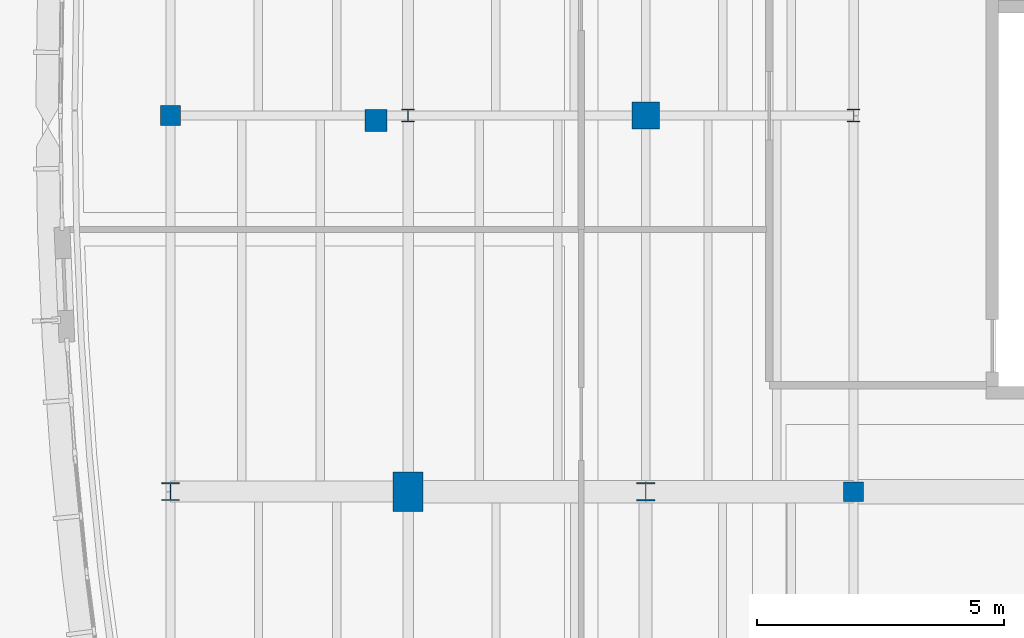
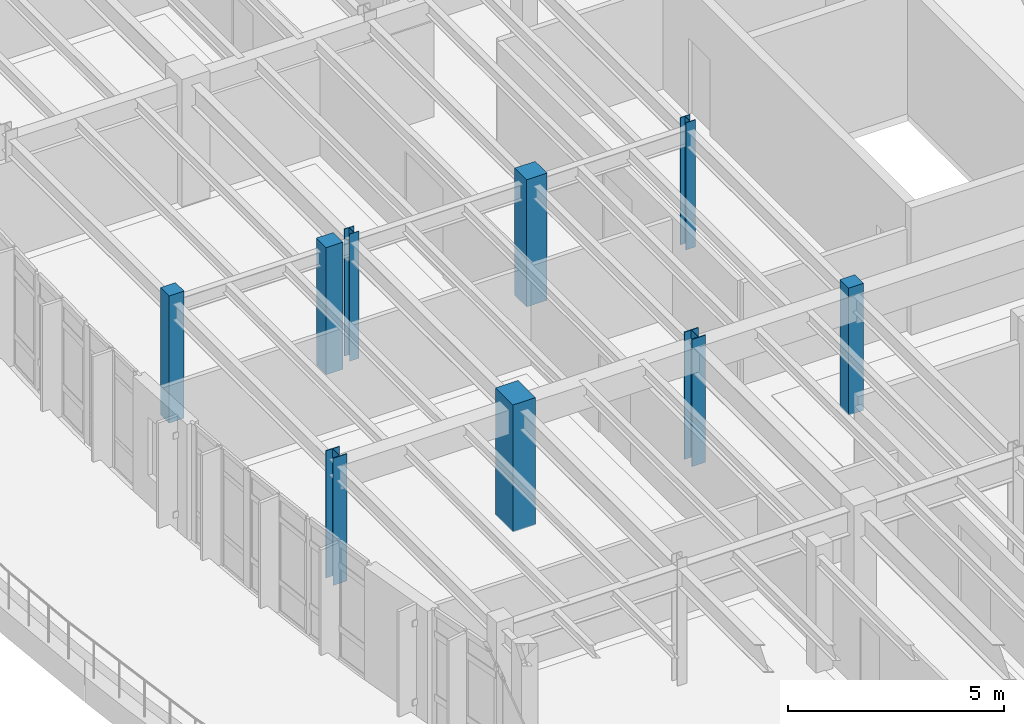
# One storey, part 3 of 30: 9 columns.
"""IFC4 building model written with IfcOpenShell, lengths in metres."""

from ifc_helpers import new_model, si_unit, direction, frame, origin, origin_2d, place, context, subcontext, project, spatial, rectangle, i_section, extrude, material, material_profile, profile_set, type_object, element, save


model = new_model("IFC4")

# Units and contexts
model_context = context("Model", 3, precision=1e-05, world=origin(), true_north=direction((0.0, 1.0)))
body_context = subcontext(model_context, "Body", "Model", "MODEL_VIEW")
ifc_project = project(units=[si_unit("LENGTHUNIT", "METRE"), si_unit("AREAUNIT", "SQUARE_METRE"), si_unit("VOLUMEUNIT", "CUBIC_METRE"), si_unit("PLANEANGLEUNIT", "RADIAN"), si_unit("MASSUNIT", "GRAM", prefix="KILO")], contexts=[model_context])

# Site, building, storey
site_placement = place(None, origin())
site = spatial("IfcSite", under=ifc_project, at=site_placement, CompositionType="ELEMENT")
building_placement = place(site_placement, origin())
building = spatial("IfcBuilding", under=site, at=building_placement, Name="Corveleigh Park Community Centre", CompositionType="ELEMENT")
storey_placement = place(building_placement, frame((0.0, 0.0, 12.60009765625)))
storey = spatial("IfcBuildingStorey", under=building, at=storey_placement, Name="L03", CompositionType="ELEMENT", Elevation=12.60009765625)

# Columns
ifc_material_1 = material(Name="Concrete C40/50", Category="concrete")
ifc_material_profile_1 = material_profile(ifc_material_1, rectangle(XDim=0.39990234375, YDim=0.39990234375, at=origin_2d()), Name="RC-400x400", Category="concrete")
ifc_profile_set_1 = profile_set([ifc_material_profile_1], Name="Concrete C40/50")
column_type_1 = type_object("IfcColumnType", Name="COL-RC-400x400", PredefinedType="COLUMN", material=ifc_profile_set_1)
for number, where, z_axis, x_axis, name in (
    (1, (144.199951171875, 81.39990234375, 0.0), (0.0, 0.0, 1.0), (1.0, 0.0, 0.0), "Column V4-X3Y3 L03"),
    (2, (158.0, 73.800048828125, 0.0), (0.0, 0.0, 1.0), (1.0, 0.0, 0.0), "Column V4-X6Y2 L03"),
):
    element("IfcColumn", number, at=place(storey_placement, frame(where, z_axis=z_axis, x_axis=x_axis)), inside=storey, type_object=column_type_1, Name=name, PredefinedType="COLUMN", context=body_context, shape_type="SweptSolid", body=[
        extrude(rectangle(XDim=0.39990234375, YDim=0.39990234375, at=origin_2d()), origin(), (0.0, 0.0, 1.0), 3.599853515625),
    ])
ifc_material_profile_2 = material_profile(ifc_material_1, rectangle(XDim=0.449951171875, YDim=0.449951171875, at=origin_2d()), Name="RC-450x450", Category="concrete")
ifc_profile_set_2 = profile_set([ifc_material_profile_2], Name="Concrete C40/50")
column_type_2 = type_object("IfcColumnType", Name="COL-RC-450x450", PredefinedType="COLUMN", material=ifc_profile_set_2)
column_1_placement = place(storey_placement, frame((148.35302734375, 81.300048828125, 0.0), z_axis=(0.0, 0.0, 1.0), x_axis=(1.0, 0.0, 0.0)))
element("IfcColumn", 3, at=column_1_placement, inside=storey, type_object=column_type_2, Name="External deck support pier 138 L03", PredefinedType="COLUMN", context=body_context, shape_type="SweptSolid", body=[
    extrude(rectangle(XDim=0.449951171875, YDim=0.449951171875, at=origin_2d()), origin(), (0.0, 0.0, 1.0), 3.599853515625),
])
ifc_material_profile_3 = material_profile(ifc_material_1, rectangle(XDim=0.550048828125, YDim=0.550048828125, at=origin_2d()), Name="RC-550x550", Category="concrete")
ifc_profile_set_3 = profile_set([ifc_material_profile_3], Name="Concrete C40/50")
column_type_3 = type_object("IfcColumnType", Name="COL-RC-550x550", PredefinedType="COLUMN", material=ifc_profile_set_3)
column_2_placement = place(storey_placement, frame((153.800048828125, 81.39990234375, 0.0), z_axis=(0.0, 0.0, 1.0), x_axis=(1.0, 0.0, 0.0)))
element("IfcColumn", 4, at=column_2_placement, inside=storey, type_object=column_type_3, Name="Column V4-X5Y3 L03", PredefinedType="COLUMN", context=body_context, shape_type="SweptSolid", body=[
    extrude(rectangle(XDim=0.550048828125, YDim=0.550048828125, at=origin_2d()), origin(), (0.0, 0.0, 1.0), 3.599853515625),
])
ifc_material_profile_4 = material_profile(ifc_material_1, rectangle(XDim=0.60009765625, YDim=0.800048828125, at=origin_2d()), Name="RC-600x800", Category="concrete")
ifc_profile_set_4 = profile_set([ifc_material_profile_4], Name="Concrete C40/50")
column_type_4 = type_object("IfcColumnType", Name="COL-RC-600x800", PredefinedType="COLUMN", material=ifc_profile_set_4)
column_3_placement = place(storey_placement, frame((149.0, 73.800048828125, 0.0), z_axis=(0.0, 0.0, 1.0), x_axis=(1.0, 0.0, 0.0)))
element("IfcColumn", 5, at=column_3_placement, inside=storey, type_object=column_type_4, Name="Column V4-X4Y2 L03", PredefinedType="COLUMN", context=body_context, shape_type="SweptSolid", body=[
    extrude(rectangle(XDim=0.60009765625, YDim=0.800048828125, at=origin_2d()), origin(), (0.0, 0.0, 1.0), 3.599853515625),
])
ifc_material_2 = material(Name="Steel S355", Category="steel")
ifc_material_profile_5 = material_profile(ifc_material_2, i_section(OverallWidth=0.254638671875, OverallDepth=0.254150390625, WebThickness=0.008544921875, FlangeThickness=0.01416015625, at=origin_2d()), Name="UKC 254x254x73", Category="steel")
ifc_profile_set_5 = profile_set([ifc_material_profile_5], Name="Steel S355")
column_type_5 = type_object("IfcColumnType", Name="COL-STL-UKC254x73", PredefinedType="COLUMN", material=ifc_profile_set_5)
column_4_placement = place(storey_placement, frame((149.0, 81.39990234375, 0.0), z_axis=(0.0, 0.0, 1.0), x_axis=(1.0, 0.0, 0.0)))
element("IfcColumn", 6, at=column_4_placement, inside=storey, type_object=column_type_5, Name="Column V4-X4Y3 L03", PredefinedType="COLUMN", context=body_context, shape_type="SweptSolid", body=[
    extrude(i_section(OverallWidth=0.254638671875, OverallDepth=0.254150390625, WebThickness=0.008544921875, FlangeThickness=0.01416015625, at=origin_2d()), origin(), (0.0, 0.0, 1.0), 3.599853515625),
])
ifc_material_profile_6 = material_profile(ifc_material_2, i_section(OverallWidth=0.25634765625, OverallDepth=0.26025390625, WebThickness=0.01025390625, FlangeThickness=0.017333984375, at=origin_2d()), Name="UKC 254x254x89", Category="steel")
ifc_profile_set_6 = profile_set([ifc_material_profile_6], Name="Steel S355")
column_type_6 = type_object("IfcColumnType", Name="COL-STL-UKC254x89", PredefinedType="COLUMN", material=ifc_profile_set_6)
column_5_placement = place(storey_placement, frame((158.0, 81.39990234375, 0.0), z_axis=(0.0, 0.0, 1.0), x_axis=(1.0, 0.0, 0.0)))
element("IfcColumn", 7, at=column_5_placement, inside=storey, type_object=column_type_6, Name="Column V4-X6Y3 L03", PredefinedType="COLUMN", context=body_context, shape_type="SweptSolid", body=[
    extrude(i_section(OverallWidth=0.25634765625, OverallDepth=0.26025390625, WebThickness=0.01025390625, FlangeThickness=0.017333984375, at=origin_2d()), origin(), (0.0, 0.0, 1.0), 3.599853515625),
])
ifc_material_profile_7 = material_profile(ifc_material_2, i_section(OverallWidth=0.37060546875, OverallDepth=0.362060546875, WebThickness=0.01220703125, FlangeThickness=0.020751953125, at=origin_2d()), Name="UKC 356x368x153", Category="steel")
ifc_profile_set_7 = profile_set([ifc_material_profile_7], Name="Steel S355")
column_type_7 = type_object("IfcColumnType", Name="COL-STL-UKC356x153", PredefinedType="COLUMN", material=ifc_profile_set_7)
column_6_placement = place(storey_placement, frame((144.199951171875, 73.800048828125, 0.0), z_axis=(0.0, 0.0, 1.0), x_axis=(1.0, 0.0, 0.0)))
element("IfcColumn", 8, at=column_6_placement, inside=storey, type_object=column_type_7, Name="Column V4-X3Y2 L03", PredefinedType="COLUMN", context=body_context, shape_type="SweptSolid", body=[
    extrude(i_section(OverallWidth=0.37060546875, OverallDepth=0.362060546875, WebThickness=0.01220703125, FlangeThickness=0.020751953125, at=origin_2d()), origin(), (0.0, 0.0, 1.0), 3.599853515625),
])
ifc_material_profile_8 = material_profile(ifc_material_2, i_section(OverallWidth=0.37255859375, OverallDepth=0.3681640625, WebThickness=0.014404296875, FlangeThickness=0.023681640625, at=origin_2d()), Name="UKC 356x368x177", Category="steel")
ifc_profile_set_8 = profile_set([ifc_material_profile_8], Name="Steel S355")
column_type_8 = type_object("IfcColumnType", Name="COL-STL-UKC356x177", PredefinedType="COLUMN", material=ifc_profile_set_8)
column_7_placement = place(storey_placement, frame((153.800048828125, 73.800048828125, 0.0), z_axis=(0.0, 0.0, 1.0), x_axis=(1.0, 0.0, 0.0)))
element("IfcColumn", 9, at=column_7_placement, inside=storey, type_object=column_type_8, Name="Column V4-X5Y2 L03", PredefinedType="COLUMN", context=body_context, shape_type="SweptSolid", body=[
    extrude(i_section(OverallWidth=0.37255859375, OverallDepth=0.3681640625, WebThickness=0.014404296875, FlangeThickness=0.023681640625, at=origin_2d()), origin(), (0.0, 0.0, 1.0), 3.599853515625),
])

save(model, "model.ifc")
